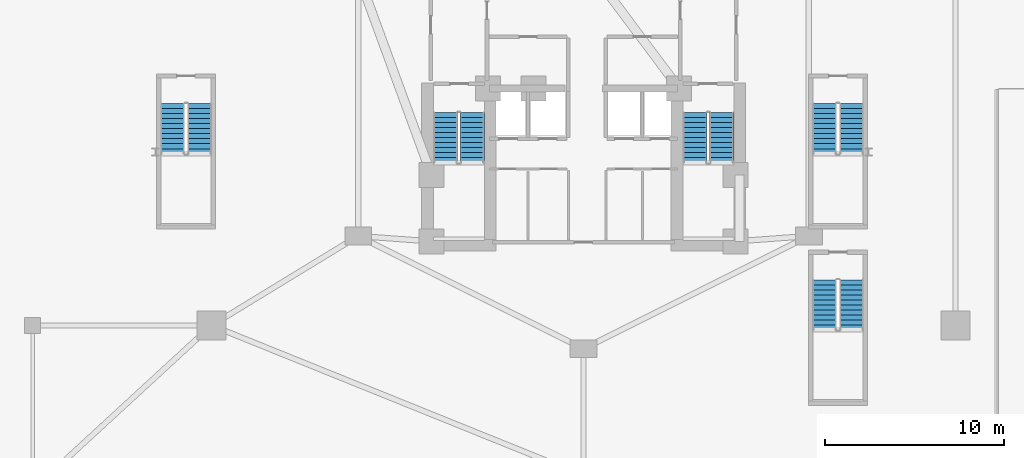
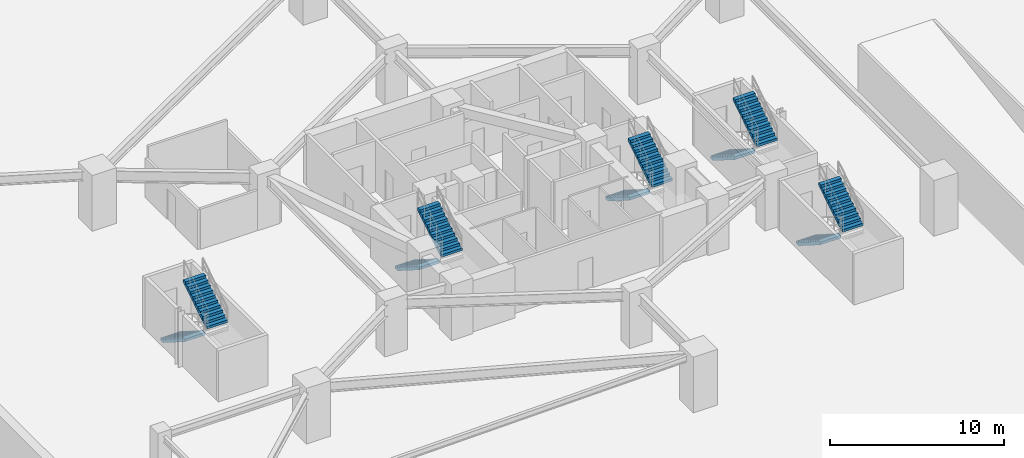
# One storey, part 10 of 12: 10 stair flights, 5 elements without a shape of their own.
"""IFC4 building model written with IfcOpenShell, lengths in metres."""

from ifc_helpers import new_model, si_unit, direction, frame, origin, place, context, subcontext, project, spatial, polyline, outline, extrude, material, type_object, element, aggregate, save


model = new_model("IFC4")

# Units and contexts
model_context = context("Model", 3, precision=1e-05, world=origin(), true_north=direction((0.0, 1.0)))
body_context = subcontext(model_context, "Body", "Model", "MODEL_VIEW")
ifc_project = project(units=[si_unit("LENGTHUNIT", "METRE"), si_unit("AREAUNIT", "SQUARE_METRE"), si_unit("VOLUMEUNIT", "CUBIC_METRE"), si_unit("PLANEANGLEUNIT", "RADIAN"), si_unit("MASSUNIT", "GRAM", prefix="KILO")], contexts=[model_context])

# Site, building, storey
site_placement = place(None, origin())
site = spatial("IfcSite", under=ifc_project, at=site_placement, CompositionType="ELEMENT")
building_placement = place(site_placement, origin())
building = spatial("IfcBuilding", under=site, at=building_placement, Name="Miruveldt Soraemaru", CompositionType="ELEMENT")
storey_placement = place(building_placement, frame((0.0, 0.0, -7.800048828125)))
storey = spatial("IfcBuildingStorey", under=building, at=storey_placement, Name="B2", CompositionType="ELEMENT", Elevation=-7.800048828125)

# Stair, stair flights
ifc_material_1 = material(Name="Concrete C40/50 (40 MPa)", Category="concrete")
stair_type_1 = type_object("IfcStairType", Name="STAIR-DL-390", PredefinedType="HALF_TURN_STAIR", material=ifc_material_1)
stair_1_placement = place(storey_placement, origin())
stair_1 = element("IfcStair", 1, at=stair_1_placement, inside=storey, type_object=stair_type_1, Name="B2 Protected Exit Stair ST-1", PredefinedType="HALF_TURN_STAIR")
stair_flight_type_1 = type_object("IfcStairFlightType", Name="SFL-DL-390", PredefinedType="STRAIGHT", material=ifc_material_1)
stair_flight_1_placement = place(storey_placement, frame((36.27490234375, 42.699951171875, 0.0), z_axis=(0.0, 0.0, 1.0), x_axis=(0.0, -1.0, 0.0)))
stair_flight_1 = element("IfcStairFlight", 2, at=stair_flight_1_placement, type_object=stair_flight_type_1, Name="ST-1 flight 1", NumberOfRisers=11, NumberOfTreads=10, PredefinedType="STRAIGHT", RiserHeight=0.177272727, TreadLength=0.28, context=body_context, shape_type="SweptSolid", body=[
    extrude(outline(polyline([(0.0, 0.0), (0.0, 0.17724609375), (0.280029296875, 0.17724609375), (0.280029296875, 0.3544921875), (0.56005859375, 0.3544921875), (0.56005859375, 0.53173828125), (0.840087890625, 0.53173828125), (0.840087890625, 0.708984375), (1.1201171875, 0.708984375), (1.1201171875, 0.886474609375), (1.39990234375, 0.886474609375), (1.39990234375, 1.063720703125), (1.679931640625, 1.063720703125), (1.679931640625, 1.240966796875), (1.9599609375, 1.240966796875), (1.9599609375, 1.418212890625), (2.239990234375, 1.418212890625), (2.239990234375, 1.595458984375), (2.52001953125, 1.595458984375), (2.52001953125, 1.772705078125), (2.800048828125, 1.772705078125), (2.800048828125, 1.949951171875), (2.800048828125, 1.58349609375), (0.298828125, 0.0), (0.0, 0.0)])), frame((0.0, 0.675048828125, 0.0), z_axis=(0.0, -1.0, 0.0), x_axis=(1.0, 0.0, 0.0)), (0.0, 0.0, 1.0), 1.35009765625),
])
stair_flight_2_placement = place(storey_placement, frame((37.77490234375, 39.89990234375, 1.949951171875), z_axis=(0.0, 0.0, 1.0), x_axis=(0.0, 1.0, 0.0)))
stair_flight_2 = element("IfcStairFlight", 3, at=stair_flight_2_placement, type_object=stair_flight_type_1, Name="ST-1 flight 2", NumberOfRisers=11, NumberOfTreads=10, PredefinedType="STRAIGHT", RiserHeight=0.177272727, TreadLength=0.28, context=body_context, shape_type="SweptSolid", body=[
    extrude(outline(polyline([(0.0, 0.0), (0.0, 0.17724609375), (0.280029296875, 0.17724609375), (0.280029296875, 0.3544921875), (0.56005859375, 0.3544921875), (0.56005859375, 0.53173828125), (0.840087890625, 0.53173828125), (0.840087890625, 0.708984375), (1.1201171875, 0.708984375), (1.1201171875, 0.886474609375), (1.39990234375, 0.886474609375), (1.39990234375, 1.063720703125), (1.679931640625, 1.063720703125), (1.679931640625, 1.240966796875), (1.9599609375, 1.240966796875), (1.9599609375, 1.418212890625), (2.239990234375, 1.418212890625), (2.239990234375, 1.595458984375), (2.52001953125, 1.595458984375), (2.52001953125, 1.772705078125), (2.800048828125, 1.772705078125), (2.800048828125, 1.949951171875), (2.800048828125, 1.58349609375), (0.298828125, 0.0), (0.0, 0.0)])), frame((0.0, 0.675048828125, 0.0), z_axis=(0.0, -1.0, 0.0), x_axis=(1.0, 0.0, 0.0)), (0.0, 0.0, 1.0), 1.35009765625),
])
aggregate(stair_1, [stair_flight_1, stair_flight_2])

stair_2_placement = place(storey_placement, origin())
stair_2 = element("IfcStair", 4, at=stair_2_placement, inside=storey, type_object=stair_type_1, Name="B2 Protected Exit Stair ST-2", PredefinedType="HALF_TURN_STAIR")
stair_flight_3_placement = place(storey_placement, frame((50.22509765625, 42.699951171875, 0.0), z_axis=(0.0, 0.0, 1.0), x_axis=(0.0, -1.0, 0.0)))
stair_flight_3 = element("IfcStairFlight", 5, at=stair_flight_3_placement, type_object=stair_flight_type_1, Name="ST-2 flight 1", NumberOfRisers=11, NumberOfTreads=10, PredefinedType="STRAIGHT", RiserHeight=0.177272727, TreadLength=0.28, context=body_context, shape_type="SweptSolid", body=[
    extrude(outline(polyline([(0.0, 0.0), (0.0, 0.17724609375), (0.280029296875, 0.17724609375), (0.280029296875, 0.3544921875), (0.56005859375, 0.3544921875), (0.56005859375, 0.53173828125), (0.840087890625, 0.53173828125), (0.840087890625, 0.708984375), (1.1201171875, 0.708984375), (1.1201171875, 0.886474609375), (1.39990234375, 0.886474609375), (1.39990234375, 1.063720703125), (1.679931640625, 1.063720703125), (1.679931640625, 1.240966796875), (1.9599609375, 1.240966796875), (1.9599609375, 1.418212890625), (2.239990234375, 1.418212890625), (2.239990234375, 1.595458984375), (2.52001953125, 1.595458984375), (2.52001953125, 1.772705078125), (2.800048828125, 1.772705078125), (2.800048828125, 1.949951171875), (2.800048828125, 1.58349609375), (0.298828125, 0.0), (0.0, 0.0)])), frame((0.0, 0.675048828125, 0.0), z_axis=(0.0, -1.0, 0.0), x_axis=(1.0, 0.0, 0.0)), (0.0, 0.0, 1.0), 1.35009765625),
])
stair_flight_4_placement = place(storey_placement, frame((51.72509765625, 39.89990234375, 1.949951171875), z_axis=(0.0, 0.0, 1.0), x_axis=(0.0, 1.0, 0.0)))
stair_flight_4 = element("IfcStairFlight", 6, at=stair_flight_4_placement, type_object=stair_flight_type_1, Name="ST-2 flight 2", NumberOfRisers=11, NumberOfTreads=10, PredefinedType="STRAIGHT", RiserHeight=0.177272727, TreadLength=0.28, context=body_context, shape_type="SweptSolid", body=[
    extrude(outline(polyline([(0.0, 0.0), (0.0, 0.17724609375), (0.280029296875, 0.17724609375), (0.280029296875, 0.3544921875), (0.56005859375, 0.3544921875), (0.56005859375, 0.53173828125), (0.840087890625, 0.53173828125), (0.840087890625, 0.708984375), (1.1201171875, 0.708984375), (1.1201171875, 0.886474609375), (1.39990234375, 0.886474609375), (1.39990234375, 1.063720703125), (1.679931640625, 1.063720703125), (1.679931640625, 1.240966796875), (1.9599609375, 1.240966796875), (1.9599609375, 1.418212890625), (2.239990234375, 1.418212890625), (2.239990234375, 1.595458984375), (2.52001953125, 1.595458984375), (2.52001953125, 1.772705078125), (2.800048828125, 1.772705078125), (2.800048828125, 1.949951171875), (2.800048828125, 1.58349609375), (0.298828125, 0.0), (0.0, 0.0)])), frame((0.0, 0.675048828125, 0.0), z_axis=(0.0, -1.0, 0.0), x_axis=(1.0, 0.0, 0.0)), (0.0, 0.0, 1.0), 1.35009765625),
])
aggregate(stair_2, [stair_flight_3, stair_flight_4])

stair_3_placement = place(storey_placement, origin())
stair_3 = element("IfcStair", 7, at=stair_3_placement, inside=storey, type_object=stair_type_1, Name="B2 Podium Protected Exit Stair ST-3", PredefinedType="HALF_TURN_STAIR")
stair_flight_5_placement = place(storey_placement, frame((21.02490234375, 43.199951171875, 0.0), z_axis=(0.0, 0.0, 1.0), x_axis=(0.0, -1.0, 0.0)))
stair_flight_5 = element("IfcStairFlight", 8, at=stair_flight_5_placement, type_object=stair_flight_type_1, Name="ST-3 flight 1", NumberOfRisers=11, NumberOfTreads=10, PredefinedType="STRAIGHT", RiserHeight=0.177272727, TreadLength=0.28, context=body_context, shape_type="SweptSolid", body=[
    extrude(outline(polyline([(0.0, 0.0), (0.0, 0.17724609375), (0.280029296875, 0.17724609375), (0.280029296875, 0.3544921875), (0.56005859375, 0.3544921875), (0.56005859375, 0.53173828125), (0.840087890625, 0.53173828125), (0.840087890625, 0.708984375), (1.1201171875, 0.708984375), (1.1201171875, 0.886474609375), (1.39990234375, 0.886474609375), (1.39990234375, 1.063720703125), (1.679931640625, 1.063720703125), (1.679931640625, 1.240966796875), (1.9599609375, 1.240966796875), (1.9599609375, 1.418212890625), (2.239990234375, 1.418212890625), (2.239990234375, 1.595458984375), (2.52001953125, 1.595458984375), (2.52001953125, 1.772705078125), (2.800048828125, 1.772705078125), (2.800048828125, 1.949951171875), (2.800048828125, 1.58349609375), (0.298828125, 0.0), (0.0, 0.0)])), frame((0.0, 0.675048828125, 0.0), z_axis=(0.0, -1.0, 0.0), x_axis=(1.0, 0.0, 0.0)), (0.0, 0.0, 1.0), 1.35009765625),
])
stair_flight_6_placement = place(storey_placement, frame((22.52490234375, 40.39990234375, 1.949951171875), z_axis=(0.0, 0.0, 1.0), x_axis=(0.0, 1.0, 0.0)))
stair_flight_6 = element("IfcStairFlight", 9, at=stair_flight_6_placement, type_object=stair_flight_type_1, Name="ST-3 flight 2", NumberOfRisers=11, NumberOfTreads=10, PredefinedType="STRAIGHT", RiserHeight=0.177272727, TreadLength=0.28, context=body_context, shape_type="SweptSolid", body=[
    extrude(outline(polyline([(0.0, 0.0), (0.0, 0.17724609375), (0.280029296875, 0.17724609375), (0.280029296875, 0.3544921875), (0.56005859375, 0.3544921875), (0.56005859375, 0.53173828125), (0.840087890625, 0.53173828125), (0.840087890625, 0.708984375), (1.1201171875, 0.708984375), (1.1201171875, 0.886474609375), (1.39990234375, 0.886474609375), (1.39990234375, 1.063720703125), (1.679931640625, 1.063720703125), (1.679931640625, 1.240966796875), (1.9599609375, 1.240966796875), (1.9599609375, 1.418212890625), (2.239990234375, 1.418212890625), (2.239990234375, 1.595458984375), (2.52001953125, 1.595458984375), (2.52001953125, 1.772705078125), (2.800048828125, 1.772705078125), (2.800048828125, 1.949951171875), (2.800048828125, 1.58349609375), (0.298828125, 0.0), (0.0, 0.0)])), frame((0.0, 0.675048828125, 0.0), z_axis=(0.0, -1.0, 0.0), x_axis=(1.0, 0.0, 0.0)), (0.0, 0.0, 1.0), 1.35009765625),
])
aggregate(stair_3, [stair_flight_5, stair_flight_6])

ifc_material_2 = material(Name="Steel S355 (355 MPa)", Category="steel")
stair_type_2 = type_object("IfcStairType", Name="STAIR-FEAT-STR", PredefinedType="TWO_STRAIGHT_RUN_STAIR", material=ifc_material_2)
stair_4_placement = place(storey_placement, origin())
stair_4 = element("IfcStair", 10, at=stair_4_placement, inside=storey, type_object=stair_type_2, Name="B2 Podium Garden Feature Stair ST-4", PredefinedType="TWO_STRAIGHT_RUN_STAIR")
stair_flight_type_2 = type_object("IfcStairFlightType", Name="SFL-FEAT-STR", PredefinedType="STRAIGHT", material=ifc_material_2)
stair_flight_7_placement = place(storey_placement, frame((57.47509765625, 43.199951171875, 0.0), z_axis=(0.0, 0.0, 1.0), x_axis=(0.0, -1.0, 0.0)))
stair_flight_7 = element("IfcStairFlight", 11, at=stair_flight_7_placement, type_object=stair_flight_type_2, Name="ST-4 flight 1", NumberOfRisers=11, NumberOfTreads=10, PredefinedType="STRAIGHT", RiserHeight=0.177272727, TreadLength=0.28, context=body_context, shape_type="SweptSolid", body=[
    extrude(outline(polyline([(0.0, 0.0), (0.0, 0.17724609375), (0.280029296875, 0.17724609375), (0.280029296875, 0.3544921875), (0.56005859375, 0.3544921875), (0.56005859375, 0.53173828125), (0.840087890625, 0.53173828125), (0.840087890625, 0.708984375), (1.1201171875, 0.708984375), (1.1201171875, 0.886474609375), (1.39990234375, 0.886474609375), (1.39990234375, 1.063720703125), (1.679931640625, 1.063720703125), (1.679931640625, 1.240966796875), (1.9599609375, 1.240966796875), (1.9599609375, 1.418212890625), (2.239990234375, 1.418212890625), (2.239990234375, 1.595458984375), (2.52001953125, 1.595458984375), (2.52001953125, 1.772705078125), (2.800048828125, 1.772705078125), (2.800048828125, 1.949951171875), (2.800048828125, 1.58349609375), (0.298828125, 0.0), (0.0, 0.0)])), frame((0.0, 0.675048828125, 0.0), z_axis=(0.0, -1.0, 0.0), x_axis=(1.0, 0.0, 0.0)), (0.0, 0.0, 1.0), 1.35009765625),
])
stair_flight_8_placement = place(storey_placement, frame((58.97509765625, 40.39990234375, 1.949951171875), z_axis=(0.0, 0.0, 1.0), x_axis=(0.0, 1.0, 0.0)))
stair_flight_8 = element("IfcStairFlight", 12, at=stair_flight_8_placement, type_object=stair_flight_type_2, Name="ST-4 flight 2", NumberOfRisers=11, NumberOfTreads=10, PredefinedType="STRAIGHT", RiserHeight=0.177272727, TreadLength=0.28, context=body_context, shape_type="SweptSolid", body=[
    extrude(outline(polyline([(0.0, 0.0), (0.0, 0.17724609375), (0.280029296875, 0.17724609375), (0.280029296875, 0.3544921875), (0.56005859375, 0.3544921875), (0.56005859375, 0.53173828125), (0.840087890625, 0.53173828125), (0.840087890625, 0.708984375), (1.1201171875, 0.708984375), (1.1201171875, 0.886474609375), (1.39990234375, 0.886474609375), (1.39990234375, 1.063720703125), (1.679931640625, 1.063720703125), (1.679931640625, 1.240966796875), (1.9599609375, 1.240966796875), (1.9599609375, 1.418212890625), (2.239990234375, 1.418212890625), (2.239990234375, 1.595458984375), (2.52001953125, 1.595458984375), (2.52001953125, 1.772705078125), (2.800048828125, 1.772705078125), (2.800048828125, 1.949951171875), (2.800048828125, 1.58349609375), (0.298828125, 0.0), (0.0, 0.0)])), frame((0.0, 0.675048828125, 0.0), z_axis=(0.0, -1.0, 0.0), x_axis=(1.0, 0.0, 0.0)), (0.0, 0.0, 1.0), 1.35009765625),
])
aggregate(stair_4, [stair_flight_7, stair_flight_8])

stair_5_placement = place(storey_placement, origin())
stair_5 = element("IfcStair", 13, at=stair_5_placement, inside=storey, type_object=stair_type_2, Name="B2 Basement Service Dogleg Stair ST-5", PredefinedType="TWO_STRAIGHT_RUN_STAIR")
stair_flight_9_placement = place(storey_placement, frame((57.47509765625, 33.35009765625, 0.0), z_axis=(0.0, 0.0, 1.0), x_axis=(0.0, -1.0, 0.0)))
stair_flight_9 = element("IfcStairFlight", 14, at=stair_flight_9_placement, type_object=stair_flight_type_2, Name="ST-5 flight 1", NumberOfRisers=11, NumberOfTreads=10, PredefinedType="STRAIGHT", RiserHeight=0.177272727, TreadLength=0.28, context=body_context, shape_type="SweptSolid", body=[
    extrude(outline(polyline([(0.0, 0.0), (0.0, 0.17724609375), (0.280029296875, 0.17724609375), (0.280029296875, 0.3544921875), (0.56005859375, 0.3544921875), (0.56005859375, 0.53173828125), (0.840087890625, 0.53173828125), (0.840087890625, 0.708984375), (1.1201171875, 0.708984375), (1.1201171875, 0.886474609375), (1.39990234375, 0.886474609375), (1.39990234375, 1.063720703125), (1.679931640625, 1.063720703125), (1.679931640625, 1.240966796875), (1.9599609375, 1.240966796875), (1.9599609375, 1.418212890625), (2.239990234375, 1.418212890625), (2.239990234375, 1.595458984375), (2.52001953125, 1.595458984375), (2.52001953125, 1.772705078125), (2.800048828125, 1.772705078125), (2.800048828125, 1.949951171875), (2.800048828125, 1.58349609375), (0.298828125, 0.0), (0.0, 0.0)])), frame((0.0, 0.675048828125, 0.0), z_axis=(0.0, -1.0, 0.0), x_axis=(1.0, 0.0, 0.0)), (0.0, 0.0, 1.0), 1.35009765625),
])
stair_flight_10_placement = place(storey_placement, frame((58.97509765625, 30.550048828125, 1.949951171875), z_axis=(0.0, 0.0, 1.0), x_axis=(0.0, 1.0, 0.0)))
stair_flight_10 = element("IfcStairFlight", 15, at=stair_flight_10_placement, type_object=stair_flight_type_2, Name="ST-5 flight 2", NumberOfRisers=11, NumberOfTreads=10, PredefinedType="STRAIGHT", RiserHeight=0.177272727, TreadLength=0.28, context=body_context, shape_type="SweptSolid", body=[
    extrude(outline(polyline([(0.0, 0.0), (0.0, 0.17724609375), (0.280029296875, 0.17724609375), (0.280029296875, 0.3544921875), (0.56005859375, 0.3544921875), (0.56005859375, 0.53173828125), (0.840087890625, 0.53173828125), (0.840087890625, 0.708984375), (1.1201171875, 0.708984375), (1.1201171875, 0.886474609375), (1.39990234375, 0.886474609375), (1.39990234375, 1.063720703125), (1.679931640625, 1.063720703125), (1.679931640625, 1.240966796875), (1.9599609375, 1.240966796875), (1.9599609375, 1.418212890625), (2.239990234375, 1.418212890625), (2.239990234375, 1.595458984375), (2.52001953125, 1.595458984375), (2.52001953125, 1.772705078125), (2.800048828125, 1.772705078125), (2.800048828125, 1.949951171875), (2.800048828125, 1.58349609375), (0.298828125, 0.0), (0.0, 0.0)])), frame((0.0, 0.675048828125, 0.0), z_axis=(0.0, -1.0, 0.0), x_axis=(1.0, 0.0, 0.0)), (0.0, 0.0, 1.0), 1.35009765625),
])
aggregate(stair_5, [stair_flight_9, stair_flight_10])

save(model, "model.ifc")
